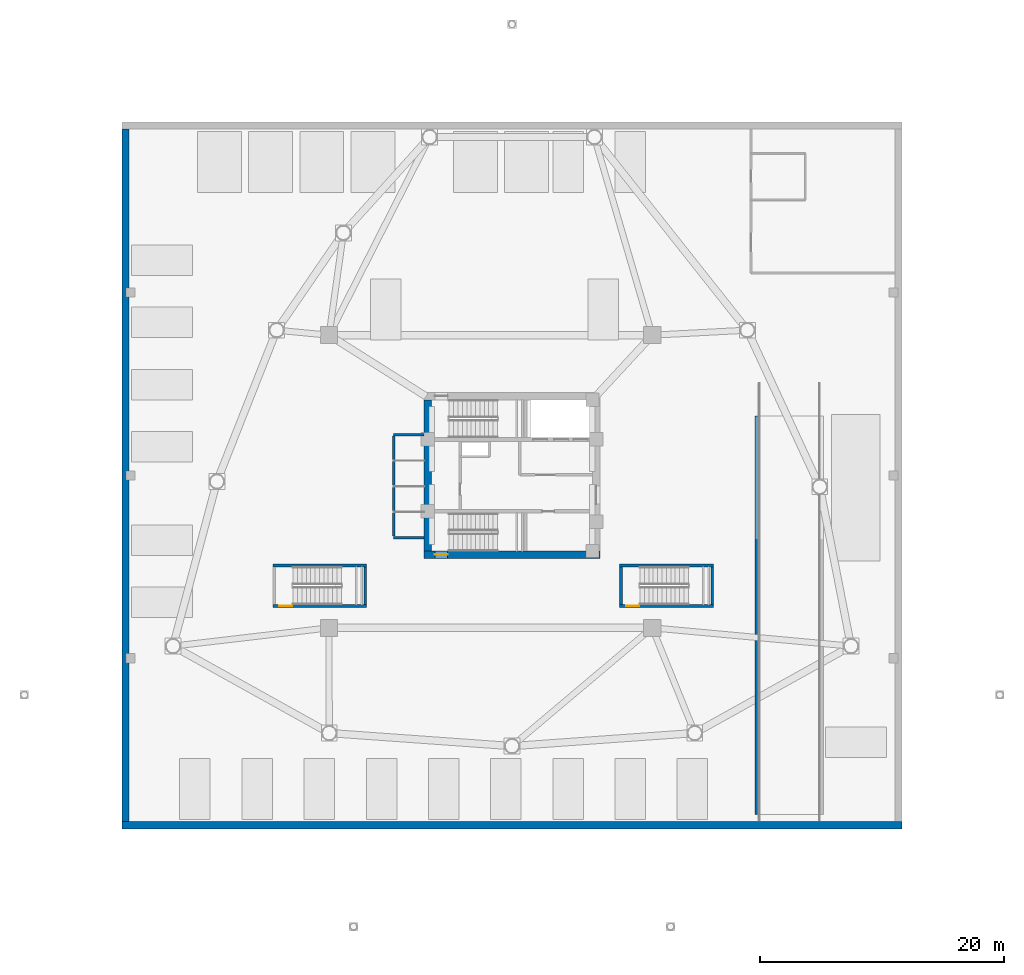
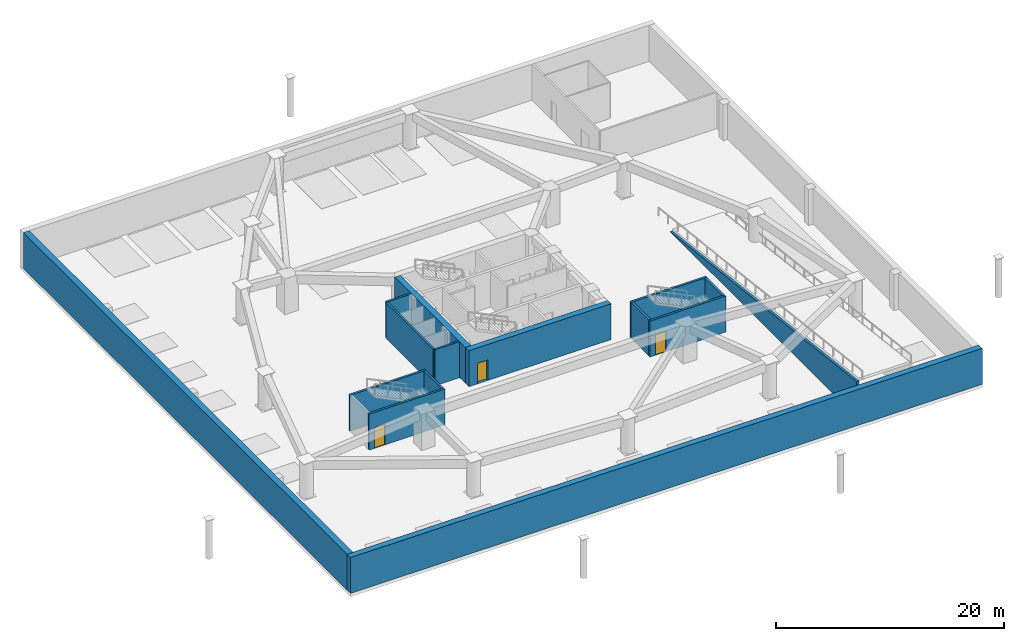
# One storey, part 4 of 9: 15 walls, 3 doors, 3 openings.
"""IFC4 building model written with IfcOpenShell, lengths in metres."""

from ifc_helpers import new_model, si_unit, direction, frame, frame_2d, origin, place, context, subcontext, project, spatial, polyline, rectangle, outline, extrude, material, layer, layer_set, type_object, element, fill, save


model = new_model("IFC4")

# Units and contexts
model_context = context("Model", 3, precision=1e-05, world=origin(), true_north=direction((0.0, 1.0)))
body_context = subcontext(model_context, "Body", "Model", "MODEL_VIEW")
ifc_project = project(units=[si_unit("LENGTHUNIT", "METRE"), si_unit("AREAUNIT", "SQUARE_METRE"), si_unit("VOLUMEUNIT", "CUBIC_METRE"), si_unit("PLANEANGLEUNIT", "RADIAN"), si_unit("MASSUNIT", "GRAM", prefix="KILO")], contexts=[model_context])

# Site, building, storey
site_placement = place(None, origin())
site = spatial("IfcSite", under=ifc_project, at=site_placement, CompositionType="ELEMENT")
building_placement = place(site_placement, origin())
building = spatial("IfcBuilding", under=site, at=building_placement, Name="Tavelor Broadcast Tower", CompositionType="ELEMENT")
storey_placement = place(building_placement, frame((0.0, 0.0, -4.199951171875)))
storey = spatial("IfcBuildingStorey", under=building, at=storey_placement, Name="B01", CompositionType="ELEMENT", Elevation=-4.199951171875)

# Walls
ifc_material_1 = material(Name="Concrete C40/50", Category="concrete")
ifc_layer_1 = layer(ifc_material_1, 0.60009765625)
ifc_layer_set_1 = layer_set([ifc_layer_1], Name="Concrete C40/50")
wall_type_1 = type_object("IfcWallType", Name="Basement Retaining Wall 600 mm", PredefinedType="USERDEFINED", material=ifc_layer_set_1)
wall_1_placement = place(storey_placement, frame((18.0, 16.300048828125, 0.0), z_axis=(0.0, 0.0, 1.0), x_axis=(1.0, 0.0, 0.0)))
element("IfcWall", 1, at=wall_1_placement, inside=storey, type_object=wall_type_1, Name="B01 Basement Retaining Wall S 600 mm", ObjectType="RETAINING WALL", PredefinedType="USERDEFINED", context=body_context, shape_type="SweptSolid", body=[
    extrude(rectangle(XDim=64.0, YDim=0.60009765625, at=frame_2d((32.0, 0.0))), origin(), (0.0, 0.0, 1.0), 3.849853515625),
])
wall_2_placement = place(storey_placement, frame((18.300048828125, 16.60009765625, 0.0), z_axis=(0.0, 0.0, 1.0), x_axis=(0.0, 1.0, 0.0)))
element("IfcWall", 2, at=wall_2_placement, inside=storey, type_object=wall_type_1, Name="B01 Basement Retaining Wall W 600 mm", ObjectType="RETAINING WALL", PredefinedType="USERDEFINED", context=body_context, shape_type="SweptSolid", body=[
    extrude(rectangle(XDim=56.7998046875, YDim=0.60009765625, at=frame_2d((28.39990234375, 0.0))), origin(), (0.0, 0.0, 1.0), 3.849853515625),
])

# Wall, opening, door
ifc_material_2 = material(Name="Concrete C60/75", Category="concrete")
ifc_layer_2 = layer(ifc_material_2, 0.60009765625)
ifc_layer_set_2 = layer_set([ifc_layer_2], Name="Concrete C60/75")
wall_type_2 = type_object("IfcWallType", Name="Core Shear Wall 600 mm", PredefinedType="SHEAR", material=ifc_layer_set_2)
wall_3_placement = place(storey_placement, frame((42.800048828125, 38.5, 0.0), z_axis=(0.0, 0.0, 1.0), x_axis=(1.0, 0.0, 0.0)))
wall_3 = element("IfcWall", 3, at=wall_3_placement, inside=storey, type_object=wall_type_2, Name="B01 Central Core Shear Wall S", PredefinedType="SHEAR", context=body_context, shape_type="SweptSolid", body=[
    extrude(rectangle(XDim=14.39990234375, YDim=0.60009765625, at=frame_2d((7.199951171875, 0.0))), origin(), (0.0, 0.0, 1.0), 3.849853515625),
])
opening_1_placement = place(wall_3_placement, frame((0.8798828125, 0.0, 0.0)))
opening_1 = element("IfcOpeningElement", 4, at=opening_1_placement, cuts=wall_3, Name="Opening DR11", PredefinedType="OPENING", context=body_context, shape_type="SweptSolid", body=[
    extrude(rectangle(XDim=1.050048828125, YDim=2.199951171875, at=frame_2d((0.52490234375, 1.10009765625))), frame((0.0, 0.31005859375, 0.0), z_axis=(0.0, -1.0, 0.0), x_axis=(1.0, 0.0, 0.0)), (0.0, 0.0, 1.0), 0.6201171875),
])
ifc_material_3 = material(Name="Steel S355", Category="steel")
door_type = type_object("IfcDoorType", Name="Stair Core Fire Escape Door 1050x2200", OperationType="NOTDEFINED", PredefinedType="DOOR", material=ifc_material_3)
door_1_placement = place(opening_1_placement, origin())
door_1 = element("IfcDoor", 5, at=door_1_placement, inside=storey, type_object=door_type, Name="B01 Stair ST2 Protected Exit Door", OperationType="SINGLE_SWING_RIGHT", OverallHeight=2.199951171875, OverallWidth=1.050048828125, PredefinedType="DOOR", context=body_context, shape_type="SweptSolid", body=[
    extrude(rectangle(XDim=1.050048828125, YDim=2.199951171875, at=frame_2d((0.52490234375, 1.10009765625))), frame((0.0, 0.02490234375, 0.0), z_axis=(0.0, -1.0, 0.0), x_axis=(1.0, 0.0, 0.0)), (0.0, 0.0, 1.0), 0.050048828125),
])
fill(opening_1, door_1)

# Walls
wall_4_placement = place(storey_placement, frame((43.10009765625, 38.800048828125, 0.0), z_axis=(0.0, 0.0, 1.0), x_axis=(0.0, 1.0, 0.0)))
element("IfcWall", 6, at=wall_4_placement, inside=storey, type_object=wall_type_2, Name="B01 Central Core Shear Wall W", PredefinedType="SHEAR", context=body_context, shape_type="SweptSolid", body=[
    extrude(rectangle(XDim=12.39990234375, YDim=0.60009765625, at=frame_2d((6.199951171875, 0.0))), origin(), (0.0, 0.0, 1.0), 3.849853515625),
])
ifc_material_4 = material(Name="Concrete Blockwork 200 mm", Category="masonry")
ifc_layer_3 = layer(ifc_material_4, 0.199951171875)
ifc_layer_set_3 = layer_set([ifc_layer_3], Name="Concrete Blockwork 200 mm")
wall_type_3 = type_object("IfcWallType", Name="Lift Hoistway Rated Front Wall 200 mm", PredefinedType="PARTITIONING", material=ifc_layer_set_3)
wall_5_placement = place(storey_placement, frame((40.300048828125, 40.02001953125, 0.0), z_axis=(0.0, 0.0, 1.0), x_axis=(0.0, 1.0, 0.0)))
element("IfcWall", 7, at=wall_5_placement, inside=storey, type_object=wall_type_3, Name="B01 Low-Rise Lift Hoistway Front Wall", PredefinedType="PARTITIONING", context=body_context, shape_type="SweptSolid", body=[
    extrude(rectangle(XDim=8.2099609375, YDim=0.199951171875, at=frame_2d((4.10498046875, 0.0))), origin(), (0.0, 0.0, 1.0), 3.849853515625),
])
ifc_layer_4 = layer(ifc_material_4, 0.199951171875)
ifc_layer_set_4 = layer_set([ifc_layer_4], Name="Concrete Blockwork 200 mm")
wall_type_4 = type_object("IfcWallType", Name="Lift and Riser Shaft Enclosure Wall 200 mm", PredefinedType="PARTITIONING", material=ifc_layer_set_4)
for number, where, z_axis, x_axis, name in (
    (8, (40.300048828125, 39.89990234375, 0.0), (0.0, 0.0, 1.0), (1.0, 0.0, 0.0), "B01 Low-Rise Lift Shaft South Wall"),
    (9, (40.300048828125, 48.35009765625, 0.0), (0.0, 0.0, 1.0), (1.0, 0.0, 0.0), "B01 Low-Rise Lift Shaft North Wall"),
):
    element("IfcWall", number, at=place(storey_placement, frame(where, z_axis=z_axis, x_axis=x_axis)), inside=storey, type_object=wall_type_4, Name=name, PredefinedType="PARTITIONING", context=body_context, shape_type="SweptSolid", body=[
        extrude(rectangle(XDim=2.5, YDim=0.199951171875, at=frame_2d((1.25, 0.0))), origin(), (0.0, 0.0, 1.0), 3.849853515625),
    ])

# Wall, opening, door
ifc_layer_5 = layer(ifc_material_1, 0.219970703125)
ifc_layer_set_5 = layer_set([ifc_layer_5], Name="Concrete C40/50")
wall_type_5 = type_object("IfcWallType", Name="Structural Stairwell Shear Wall 220 mm", PredefinedType="SHEAR", material=ifc_layer_set_5)
wall_6_placement = place(storey_placement, frame((30.3798828125, 34.2900390625, 0.0), z_axis=(0.0, 0.0, 1.0), x_axis=(1.0, 0.0, 0.0)))
wall_6 = element("IfcWall", 10, at=wall_6_placement, inside=storey, type_object=wall_type_5, Name="B01 Stair ST3 Structural Shaft Wall S", PredefinedType="SHEAR", context=body_context, shape_type="SweptSolid", body=[
    extrude(rectangle(XDim=7.690185546875, YDim=0.219970703125, at=frame_2d((3.84521484375, 0.0))), origin(), (0.0, 0.0, 1.0), 3.849853515625),
])
opening_2_placement = place(wall_6_placement, frame((0.550048828125, 0.0, 0.0)))
opening_2 = element("IfcOpeningElement", 11, at=opening_2_placement, cuts=wall_6, Name="Opening DR11", PredefinedType="OPENING", context=body_context, shape_type="SweptSolid", body=[
    extrude(rectangle(XDim=1.050048828125, YDim=2.199951171875, at=frame_2d((0.52490234375, 1.10009765625))), frame((0.0, 0.1201171875, 0.0), z_axis=(0.0, -1.0, 0.0), x_axis=(1.0, 0.0, 0.0)), (0.0, 0.0, 1.0), 0.239990234375),
])
door_2_placement = place(opening_2_placement, origin())
door_2 = element("IfcDoor", 12, at=door_2_placement, inside=storey, type_object=door_type, Name="B01 Stair ST3 Protected Fire Door", OperationType="SINGLE_SWING_RIGHT", OverallHeight=2.199951171875, OverallWidth=1.050048828125, PredefinedType="DOOR", context=body_context, shape_type="SweptSolid", body=[
    extrude(rectangle(XDim=1.050048828125, YDim=2.199951171875, at=frame_2d((0.52490234375, 1.10009765625))), frame((0.0, 0.02490234375, 0.0), z_axis=(0.0, -1.0, 0.0), x_axis=(1.0, 0.0, 0.0)), (0.0, 0.0, 1.0), 0.050048828125),
])
fill(opening_2, door_2)

# Walls
wall_7_placement = place(storey_placement, frame((30.3798828125, 37.610107421875, 0.0), z_axis=(0.0, 0.0, 1.0), x_axis=(1.0, 0.0, 0.0)))
element("IfcWall", 13, at=wall_7_placement, inside=storey, type_object=wall_type_5, Name="B01 Stair ST3 Structural Shaft Wall N", PredefinedType="SHEAR", context=body_context, shape_type="SweptSolid", body=[
    extrude(rectangle(XDim=7.690185546875, YDim=0.219970703125, at=frame_2d((3.84521484375, 0.0))), origin(), (0.0, 0.0, 1.0), 3.849853515625),
])
wall_8_placement = place(storey_placement, frame((37.9599609375, 34.39990234375, 0.0), z_axis=(0.0, 0.0, 1.0), x_axis=(0.0, 1.0, 0.0)))
element("IfcWall", 14, at=wall_8_placement, inside=storey, type_object=wall_type_5, Name="B01 Stair ST3 Structural Shaft Wall E", PredefinedType="SHEAR", context=body_context, shape_type="SweptSolid", body=[
    extrude(rectangle(XDim=3.10009765625, YDim=0.219970703125, at=frame_2d((1.550048828125, 0.0))), origin(), (0.0, 0.0, 1.0), 3.849853515625),
])

# Wall, opening, door
wall_9_placement = place(storey_placement, frame((58.830078125, 34.2900390625, 0.0), z_axis=(0.0, 0.0, 1.0), x_axis=(1.0, 0.0, 0.0)))
wall_9 = element("IfcWall", 15, at=wall_9_placement, inside=storey, type_object=wall_type_5, Name="B01 Stair ST4 Structural Shaft Wall S", PredefinedType="SHEAR", context=body_context, shape_type="SweptSolid", body=[
    extrude(rectangle(XDim=7.68994140625, YDim=0.219970703125, at=frame_2d((3.844970703125, 0.0))), origin(), (0.0, 0.0, 1.0), 3.849853515625),
])
opening_3_placement = place(wall_9_placement, frame((0.550048828125, 0.0, 0.0)))
opening_3 = element("IfcOpeningElement", 16, at=opening_3_placement, cuts=wall_9, Name="Opening DR11", PredefinedType="OPENING", context=body_context, shape_type="SweptSolid", body=[
    extrude(rectangle(XDim=1.050048828125, YDim=2.199951171875, at=frame_2d((0.52490234375, 1.10009765625))), frame((0.0, 0.1201171875, 0.0), z_axis=(0.0, -1.0, 0.0), x_axis=(1.0, 0.0, 0.0)), (0.0, 0.0, 1.0), 0.239990234375),
])
door_3_placement = place(opening_3_placement, origin())
door_3 = element("IfcDoor", 17, at=door_3_placement, inside=storey, type_object=door_type, Name="B01 Stair ST4 Protected Fire Door", OperationType="SINGLE_SWING_RIGHT", OverallHeight=2.199951171875, OverallWidth=1.050048828125, PredefinedType="DOOR", context=body_context, shape_type="SweptSolid", body=[
    extrude(rectangle(XDim=1.050048828125, YDim=2.199951171875, at=frame_2d((0.52490234375, 1.10009765625))), frame((0.0, 0.02490234375, 0.0), z_axis=(0.0, -1.0, 0.0), x_axis=(1.0, 0.0, 0.0)), (0.0, 0.0, 1.0), 0.050048828125),
])
fill(opening_3, door_3)

# Walls
wall_10_placement = place(storey_placement, frame((58.830078125, 37.610107421875, 0.0), z_axis=(0.0, 0.0, 1.0), x_axis=(1.0, 0.0, 0.0)))
element("IfcWall", 18, at=wall_10_placement, inside=storey, type_object=wall_type_5, Name="B01 Stair ST4 Structural Shaft Wall N", PredefinedType="SHEAR", context=body_context, shape_type="SweptSolid", body=[
    extrude(rectangle(XDim=7.68994140625, YDim=0.219970703125, at=frame_2d((3.844970703125, 0.0))), origin(), (0.0, 0.0, 1.0), 3.849853515625),
])
for number, where, z_axis, x_axis, name in (
    (19, (66.409912109375, 34.39990234375, 0.0), (0.0, 0.0, 1.0), (0.0, 1.0, 0.0), "B01 Stair ST4 Structural Shaft Wall E"),
    (20, (58.93994140625, 34.39990234375, 0.0), (0.0, 0.0, 1.0), (0.0, 1.0, 0.0), "B01 Stair ST4 Structural Shaft Wall W"),
):
    element("IfcWall", number, at=place(storey_placement, frame(where, z_axis=z_axis, x_axis=x_axis)), inside=storey, type_object=wall_type_5, Name=name, PredefinedType="SHEAR", context=body_context, shape_type="SweptSolid", body=[
        extrude(rectangle(XDim=3.10009765625, YDim=0.219970703125, at=frame_2d((1.550048828125, 0.0))), origin(), (0.0, 0.0, 1.0), 3.849853515625),
    ])
ifc_layer_6 = layer(ifc_material_1, 0.239990234375)
ifc_layer_set_6 = layer_set([ifc_layer_6], Name="Concrete C40/50")
wall_type_6 = type_object("IfcWallType", Name="Vehicle Ramp Structural Support Wall 240 mm", PredefinedType="SHEAR", material=ifc_layer_set_6)
wall_11_placement = place(storey_placement, frame((70.06005859375, 17.199951171875, 0.0), z_axis=(0.0, 0.0, 1.0), x_axis=(0.0, 1.0, 0.0)))
element("IfcWall", 21, at=wall_11_placement, inside=storey, type_object=wall_type_6, Name="B01 Vehicle Ramp Sloped Structural Support Wall W", PredefinedType="SHEAR", context=body_context, shape_type="SweptSolid", body=[
    extrude(outline(polyline([(0.0, 0.0), (32.679931640625, 0.0), (32.679931640625, 0.0400390625), (0.0, 3.80712890625), (0.0, 0.0)])), frame((0.0, 0.1201171875, 0.0), z_axis=(0.0, -1.0, 0.0), x_axis=(1.0, 0.0, 0.0)), (0.0, 0.0, 1.0), 0.239990234375),
])

save(model, "model.ifc")
